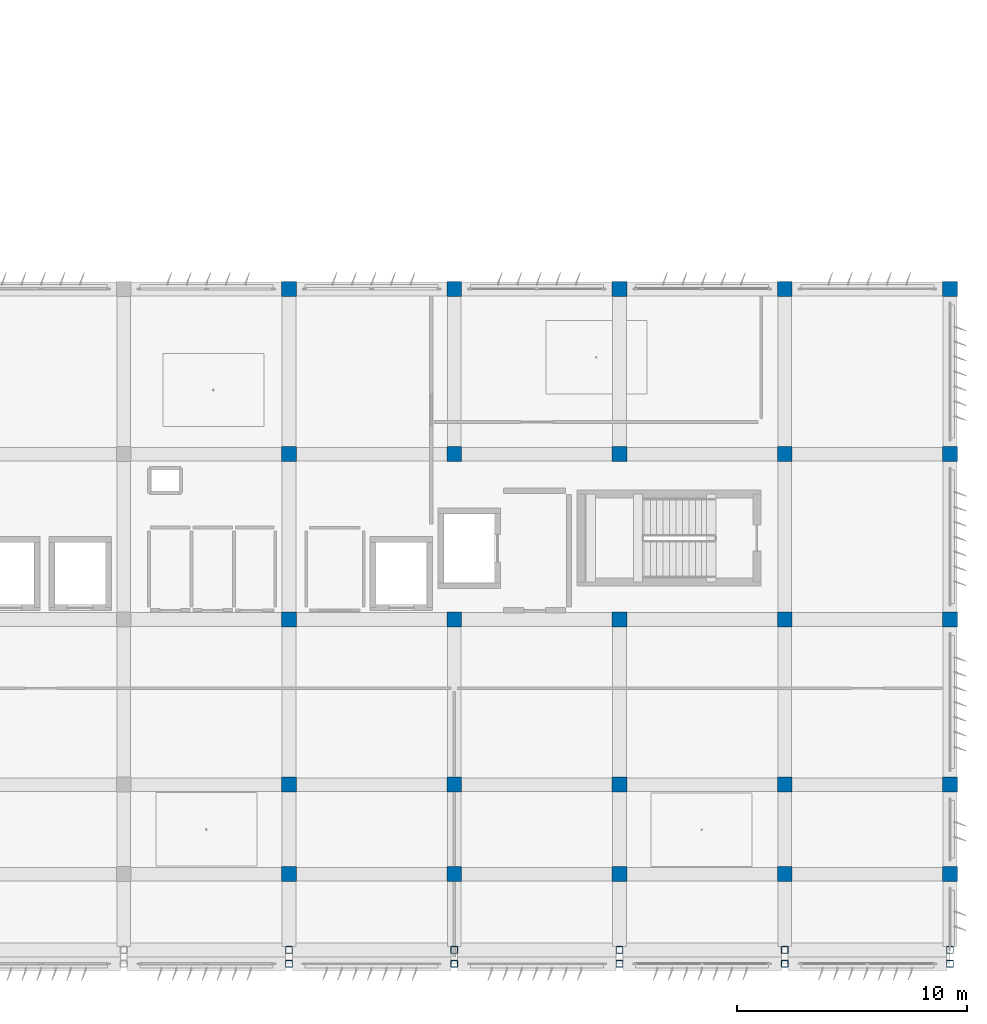
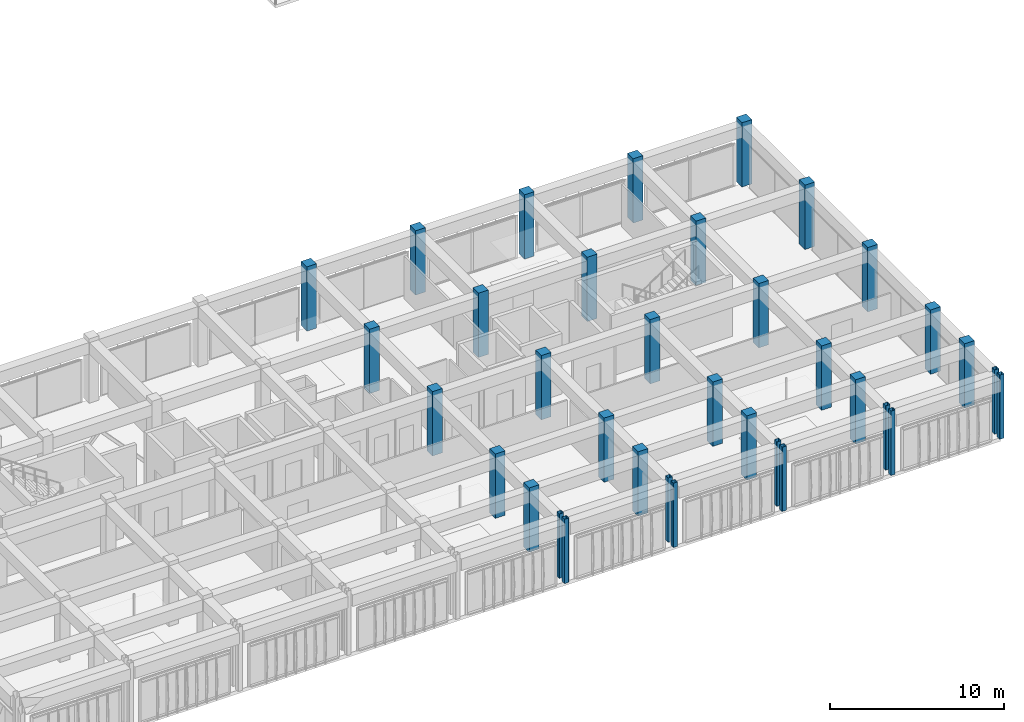
# One storey, part 2 of 56: 35 columns.
"""IFC4 building model written with IfcOpenShell, lengths in metres."""

from ifc_helpers import new_model, si_unit, direction, frame, origin, origin_2d, place, context, subcontext, project, spatial, rectangle, hollow_rectangle, extrude, material, material_profile, profile_set, type_object, element, save


model = new_model("IFC4")

# Units and contexts
model_context = context("Model", 3, precision=1e-05, world=origin(), true_north=direction((0.0, 1.0)))
body_context = subcontext(model_context, "Body", "Model", "MODEL_VIEW")
ifc_project = project(units=[si_unit("LENGTHUNIT", "METRE"), si_unit("AREAUNIT", "SQUARE_METRE"), si_unit("VOLUMEUNIT", "CUBIC_METRE"), si_unit("PLANEANGLEUNIT", "RADIAN"), si_unit("MASSUNIT", "GRAM", prefix="KILO")], contexts=[model_context])

# Site, building, storey
site_placement = place(None, origin())
site = spatial("IfcSite", under=ifc_project, at=site_placement, CompositionType="ELEMENT")
building_placement = place(site_placement, origin())
building = spatial("IfcBuilding", under=site, at=building_placement, Name="Kazehaya Institute of Natural Sciences", CompositionType="ELEMENT")
storey_placement = place(building_placement, frame((0.0, 0.0, 28.800048828125)))
storey = spatial("IfcBuildingStorey", under=building, at=storey_placement, Name="L06", CompositionType="ELEMENT", Elevation=28.800048828125)

# Columns
ifc_material_1 = material(Name="Concrete Fc36", Category="concrete")
ifc_material_profile_1 = material_profile(ifc_material_1, rectangle(XDim=0.64990234375, YDim=0.64990234375, at=origin_2d()), Name="RC-650x650")
ifc_profile_set_1 = profile_set([ifc_material_profile_1], Name="Concrete Fc36")
column_type_1 = type_object("IfcColumnType", Name="COL-RC650", PredefinedType="COLUMN", material=ifc_profile_set_1)
for number, where, z_axis, x_axis, name in (
    (1, (90.60009765625, 10.10009765625, 0.0), (0.0, 0.0, 1.0), (1.0, 0.0, 0.0), "L06 column COL-L06-1134"),
    (2, (97.800048828125, 10.10009765625, 0.0), (0.0, 0.0, 1.0), (1.0, 0.0, 0.0), "L06 column COL-L06-1135"),
    (3, (105.0, 10.10009765625, 0.0), (0.0, 0.0, 1.0), (1.0, 0.0, 0.0), "L06 column COL-L06-1136"),
    (4, (112.199951171875, 10.10009765625, 0.0), (0.0, 0.0, 1.0), (1.0, 0.0, 0.0), "L06 column COL-L06-1137"),
    (5, (119.39990234375, 10.10009765625, 0.0), (0.0, 0.0, 1.0), (1.0, 0.0, 0.0), "L06 column COL-L06-1138"),
    (6, (90.60009765625, 14.0, 0.0), (0.0, 0.0, 1.0), (1.0, 0.0, 0.0), "L06 column COL-L06-1144"),
    (7, (97.800048828125, 14.0, 0.0), (0.0, 0.0, 1.0), (1.0, 0.0, 0.0), "L06 column COL-L06-1145"),
    (8, (105.0, 14.0, 0.0), (0.0, 0.0, 1.0), (1.0, 0.0, 0.0), "L06 column COL-L06-1146"),
    (9, (112.199951171875, 14.0, 0.0), (0.0, 0.0, 1.0), (1.0, 0.0, 0.0), "L06 column COL-L06-1147"),
    (10, (119.39990234375, 14.0, 0.0), (0.0, 0.0, 1.0), (1.0, 0.0, 0.0), "L06 column COL-L06-1148"),
    (11, (90.60009765625, 21.199951171875, 0.0), (0.0, 0.0, 1.0), (1.0, 0.0, 0.0), "L06 column COL-L06-1154"),
    (12, (97.800048828125, 21.199951171875, 0.0), (0.0, 0.0, 1.0), (1.0, 0.0, 0.0), "L06 column COL-L06-1155"),
    (13, (105.0, 21.199951171875, 0.0), (0.0, 0.0, 1.0), (1.0, 0.0, 0.0), "L06 column COL-L06-1156"),
    (14, (112.199951171875, 21.199951171875, 0.0), (0.0, 0.0, 1.0), (1.0, 0.0, 0.0), "L06 column COL-L06-1157"),
    (15, (119.39990234375, 21.199951171875, 0.0), (0.0, 0.0, 1.0), (1.0, 0.0, 0.0), "L06 column COL-L06-1158"),
    (16, (90.60009765625, 28.39990234375, 0.0), (0.0, 0.0, 1.0), (1.0, 0.0, 0.0), "L06 column COL-L06-1164"),
    (17, (97.800048828125, 28.39990234375, 0.0), (0.0, 0.0, 1.0), (1.0, 0.0, 0.0), "L06 column COL-L06-1165"),
    (18, (105.0, 28.39990234375, 0.0), (0.0, 0.0, 1.0), (1.0, 0.0, 0.0), "L06 column COL-L06-1166"),
    (19, (112.199951171875, 28.39990234375, 0.0), (0.0, 0.0, 1.0), (1.0, 0.0, 0.0), "L06 column COL-L06-1167"),
    (20, (119.39990234375, 28.39990234375, 0.0), (0.0, 0.0, 1.0), (1.0, 0.0, 0.0), "L06 column COL-L06-1168"),
    (21, (90.60009765625, 35.60009765625, 0.0), (0.0, 0.0, 1.0), (1.0, 0.0, 0.0), "L06 column COL-L06-1174"),
    (22, (97.800048828125, 35.60009765625, 0.0), (0.0, 0.0, 1.0), (1.0, 0.0, 0.0), "L06 column COL-L06-1175"),
    (23, (105.0, 35.60009765625, 0.0), (0.0, 0.0, 1.0), (1.0, 0.0, 0.0), "L06 column COL-L06-1176"),
    (24, (112.199951171875, 35.60009765625, 0.0), (0.0, 0.0, 1.0), (1.0, 0.0, 0.0), "L06 column COL-L06-1177"),
    (25, (119.39990234375, 35.60009765625, 0.0), (0.0, 0.0, 1.0), (1.0, 0.0, 0.0), "L06 column COL-L06-1178"),
):
    element("IfcColumn", number, at=place(storey_placement, frame(where, z_axis=z_axis, x_axis=x_axis)), inside=storey, type_object=column_type_1, Name=name, PredefinedType="COLUMN", context=body_context, shape_type="SweptSolid", body=[
        extrude(rectangle(XDim=0.64990234375, YDim=0.64990234375, at=origin_2d()), origin(), (0.0, 0.0, 1.0), 4.5),
    ])
ifc_material_2 = material(Name="Structural steel BCR295", Category="steel")
ifc_material_profile_2 = material_profile(ifc_material_2, hollow_rectangle(XDim=0.300048828125, YDim=0.300048828125, WallThickness=0.011962890625, InnerFilletRadius=0.01806640625, OuterFilletRadius=0.030029296875, at=origin_2d()), Name="BCR-300x300x12")
ifc_profile_set_2 = profile_set([ifc_material_profile_2], Name="Structural steel BCR295")
column_type_2 = type_object("IfcColumnType", Name="COL-STL-BCR300", PredefinedType="COLUMN", material=ifc_profile_set_2)
for number, where, z_axis, x_axis, name in (
    (26, (90.60009765625, 6.199951171875, 0.0), (0.0, 0.0, 1.0), (1.0, 0.0, 0.0), "L06 column COL-L06-1114"),
    (27, (97.800048828125, 6.199951171875, 0.0), (0.0, 0.0, 1.0), (1.0, 0.0, 0.0), "L06 column COL-L06-1115"),
    (28, (105.0, 6.199951171875, 0.0), (0.0, 0.0, 1.0), (1.0, 0.0, 0.0), "L06 column COL-L06-1116"),
    (29, (112.199951171875, 6.199951171875, 0.0), (0.0, 0.0, 1.0), (1.0, 0.0, 0.0), "L06 column COL-L06-1117"),
    (30, (119.39990234375, 6.199951171875, 0.0), (0.0, 0.0, 1.0), (1.0, 0.0, 0.0), "L06 column COL-L06-1118"),
    (31, (90.60009765625, 6.800048828125, 0.0), (0.0, 0.0, 1.0), (1.0, 0.0, 0.0), "L06 column COL-L06-1124"),
    (32, (97.800048828125, 6.800048828125, 0.0), (0.0, 0.0, 1.0), (1.0, 0.0, 0.0), "L06 column COL-L06-1125"),
    (33, (105.0, 6.800048828125, 0.0), (0.0, 0.0, 1.0), (1.0, 0.0, 0.0), "L06 column COL-L06-1126"),
    (34, (112.199951171875, 6.800048828125, 0.0), (0.0, 0.0, 1.0), (1.0, 0.0, 0.0), "L06 column COL-L06-1127"),
    (35, (119.39990234375, 6.800048828125, 0.0), (0.0, 0.0, 1.0), (1.0, 0.0, 0.0), "L06 column COL-L06-1128"),
):
    element("IfcColumn", number, at=place(storey_placement, frame(where, z_axis=z_axis, x_axis=x_axis)), inside=storey, type_object=column_type_2, Name=name, PredefinedType="COLUMN", context=body_context, shape_type="SweptSolid", body=[
        extrude(hollow_rectangle(XDim=0.300048828125, YDim=0.300048828125, WallThickness=0.011962890625, InnerFilletRadius=0.01806640625, OuterFilletRadius=0.030029296875, at=origin_2d()), origin(), (0.0, 0.0, 1.0), 4.5),
    ])

save(model, "model.ifc")
